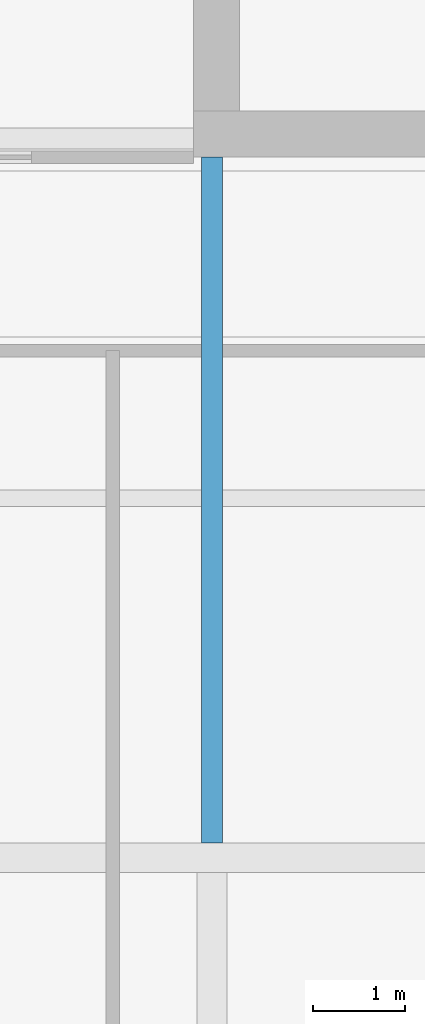
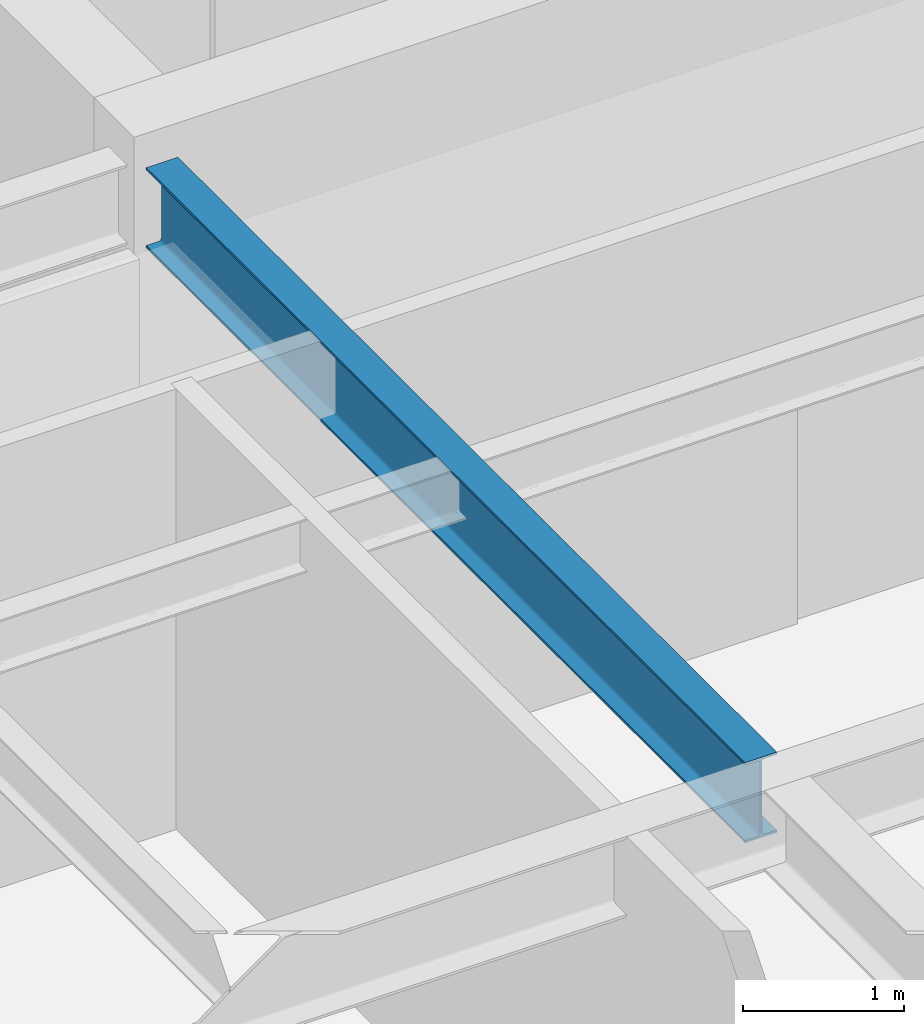
# One storey, part 6 of 32: 1 beam.
"""IFC4 building model written with IfcOpenShell, lengths in metres."""

from ifc_helpers import new_model, si_unit, direction, frame, origin, origin_2d, place, context, subcontext, project, spatial, i_section, extrude, material, material_profile, profile_set, type_object, element, save


model = new_model("IFC4")

# Units and contexts
model_context = context("Model", 3, precision=1e-05, world=origin(), true_north=direction((0.0, 1.0)))
body_context = subcontext(model_context, "Body", "Model", "MODEL_VIEW")
ifc_project = project(units=[si_unit("LENGTHUNIT", "METRE"), si_unit("AREAUNIT", "SQUARE_METRE"), si_unit("VOLUMEUNIT", "CUBIC_METRE"), si_unit("PLANEANGLEUNIT", "RADIAN"), si_unit("MASSUNIT", "GRAM", prefix="KILO")], contexts=[model_context])

# Site, building, storey
site_placement = place(None, origin())
site = spatial("IfcSite", under=ifc_project, at=site_placement, CompositionType="ELEMENT")
building_placement = place(site_placement, origin())
building = spatial("IfcBuilding", under=site, at=building_placement, Name="Drelvath Grand Hotel", CompositionType="ELEMENT")
storey_placement = place(building_placement, frame((0.0, 0.0, 241.10009765625)))
storey = spatial("IfcBuildingStorey", under=building, at=storey_placement, Name="L63", CompositionType="ELEMENT", Elevation=241.10009765625)

# Beam
ifc_material = material(Name="Steel ASTM A992 Gr 50", Category="steel")
ifc_material_profile = material_profile(ifc_material, i_section(OverallWidth=0.228271484375, OverallDepth=0.607666015625, WebThickness=0.01123046875, FlangeThickness=0.017333984375, FilletRadius=0.02001953125, at=origin_2d()), Name="W24X76")
ifc_profile_set = profile_set([ifc_material_profile], Name="Steel ASTM A992 Gr 50")
beam_type = type_object("IfcBeamType", Name="Primary Floor Girder W24X76", PredefinedType="BEAM", material=ifc_profile_set)
beam_placement = place(storey_placement, frame((-8.39990234375, 10.9619140625, 3.0361328125), z_axis=(0.0, 1.0, 0.0), x_axis=(-1.0, 0.0, 0.0)))
element("IfcBeam", 1, at=beam_placement, inside=storey, type_object=beam_type, Name="L63 South Core Tie 4", PredefinedType="BEAM", context=body_context, shape_type="SweptSolid", body=[
    extrude(i_section(OverallWidth=0.228271484375, OverallDepth=0.607666015625, WebThickness=0.01123046875, FlangeThickness=0.017333984375, FilletRadius=0.02001953125, at=origin_2d()), origin(), (0.0, 0.0, 1.0), 7.43798828125),
])

save(model, "model.ifc")
